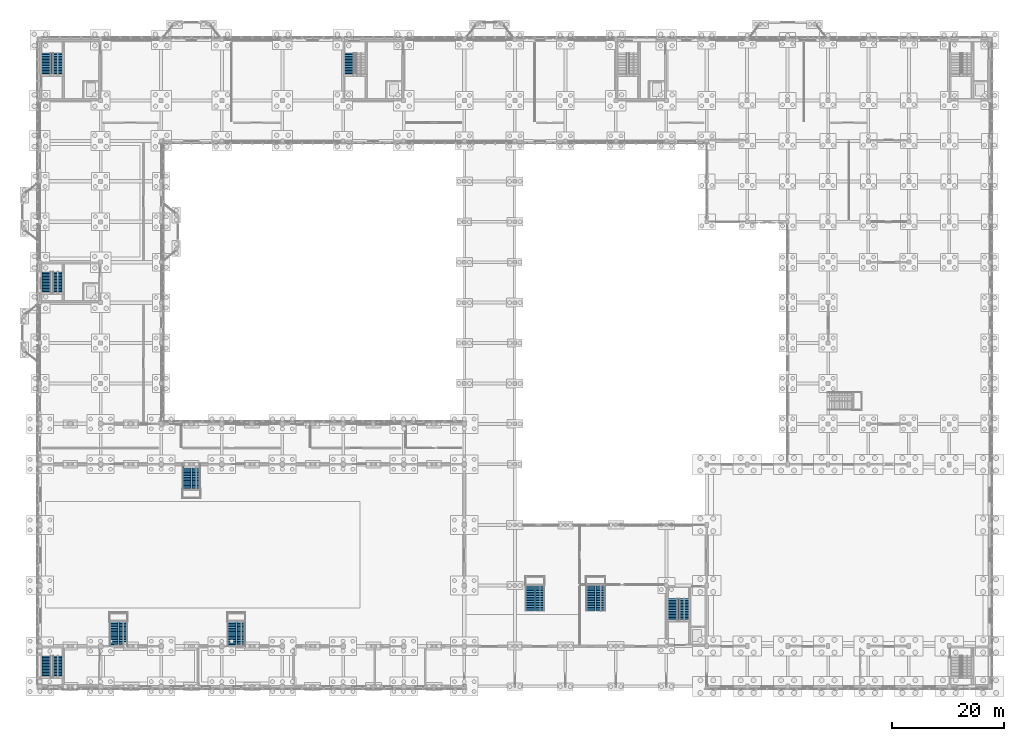
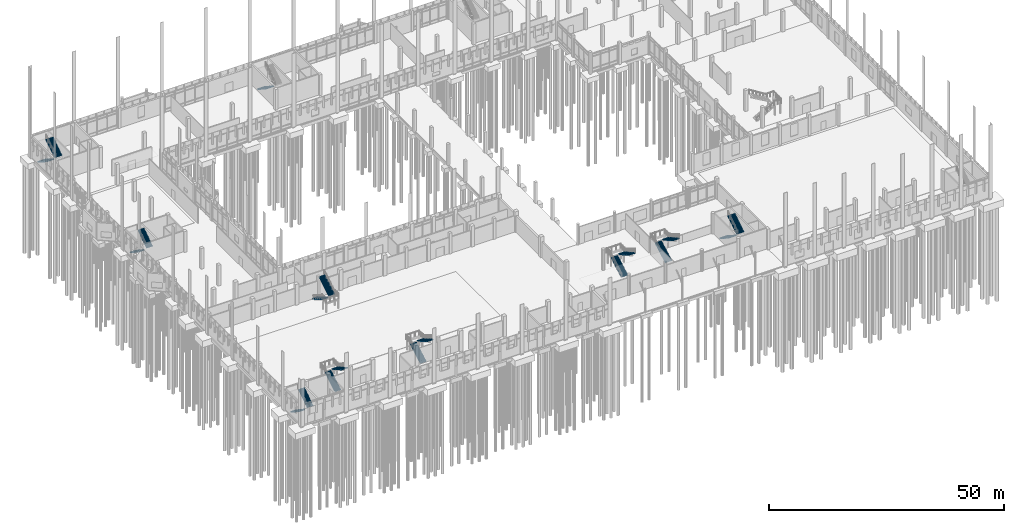
# One storey, part 92 of 109: 19 stair flights, 10 elements without a shape of their own.
"""IFC4 building model written with IfcOpenShell, lengths in metres."""

import ifcopenshell
import ifcopenshell.guid

model = None  # the IFC model being written
_history = None  # IfcOwnerHistory: only IFC2X3 demands one
_inside = {}  # id of a spatial element -> (the spatial element, [elements in it])
_under = {}  # id of a project, library or spatial element -> (it, [spatial elements below it])
_declared = {}  # id of a project -> (the project, [libraries it declares])
_typed = {}  # id of a type object -> (the type object, [elements of that type])
_made_of = {}  # id of a material, layer set ... -> (it, [elements and type objects made of it])


def new_model(schema):
    """Start an empty IFC model of exactly this schema.

    Asked for "IFC4X3", IfcOpenShell would pick the latest addendum, in which some entities
    have other attributes; the version numbers below select the first issue.
    IFC2X3 requires an IfcOwnerHistory on every rooted entity: one is made here for all.
    """
    global model, _history
    if schema == "IFC4X3":
        model = ifcopenshell.file(schema_version=(4, 3, 0, 0))
    else:
        model = ifcopenshell.file(schema=schema)
    _inside.clear()
    _under.clear()
    _declared.clear()
    _typed.clear()
    _made_of.clear()
    _history = None
    if model.schema == "IFC2X3":
        org = make("IfcOrganization", Name="unknown")
        user = make(
            "IfcPersonAndOrganization",
            ThePerson=make("IfcPerson", FamilyName="unknown"),
            TheOrganization=org,
        )
        app = make(
            "IfcApplication",
            ApplicationDeveloper=org,
            Version="unknown",
            ApplicationFullName="unknown",
            ApplicationIdentifier="unknown",
        )
        _history = make(
            "IfcOwnerHistory",
            OwningUser=user,
            OwningApplication=app,
            ChangeAction="ADDED",
            CreationDate=0,
        )
    return model


def make(cls, **values):
    """One entity of the class cls with the attributes given. An attribute that is None is left unset."""
    return model.create_entity(
        cls, **{name: value for name, value in values.items() if value is not None}
    )


def rooted(cls, **values):
    """An entity with a GlobalId (a new one), such as an element, a storey or a relation."""
    return make(cls, GlobalId=ifcopenshell.guid.new(), OwnerHistory=_history, **values)


def si_unit(unit_type, name, prefix=None):
    """IfcSIUnit, for example si_unit("LENGTHUNIT", "METRE", prefix="MILLI")."""
    return make("IfcSIUnit", UnitType=unit_type, Prefix=prefix, Name=name)


def assignment(units):
    """IfcUnitAssignment: the units of a project."""
    return None if units is None else make("IfcUnitAssignment", Units=units)


def point(xyz):
    """IfcCartesianPoint."""
    return None if xyz is None else make("IfcCartesianPoint", Coordinates=xyz)


def direction(xyz):
    """IfcDirection."""
    return None if xyz is None else make("IfcDirection", DirectionRatios=xyz)


def frame(location, z_axis=None, x_axis=None):
    """IfcAxis2Placement3D, a coordinate frame: its origin and axes. An axis left out is left unset."""
    return make(
        "IfcAxis2Placement3D",
        Location=point(location),
        Axis=direction(z_axis),
        RefDirection=direction(x_axis),
    )


def origin():
    """The frame at (0, 0, 0) with its axes left unset."""
    return frame((0.0, 0.0, 0.0))


def place(relative_to, where):
    """IfcLocalPlacement: puts the frame where relative to a parent placement (None: the world)."""
    return make(
        "IfcLocalPlacement", PlacementRelTo=relative_to, RelativePlacement=where
    )


def context(
    kind, dimensions, precision=None, world=None, true_north=None, identifier=None
):
    """IfcGeometricRepresentationContext, for example the 3D "Model" context."""
    return make(
        "IfcGeometricRepresentationContext",
        ContextIdentifier=identifier,
        ContextType=kind,
        CoordinateSpaceDimension=dimensions,
        Precision=precision,
        WorldCoordinateSystem=world,
        TrueNorth=true_north,
    )


def subcontext(parent, identifier, kind, view, scale=None):
    """IfcGeometricRepresentationSubContext, for example "Body" below "Model"."""
    return make(
        "IfcGeometricRepresentationSubContext",
        ContextIdentifier=identifier,
        ContextType=kind,
        ParentContext=parent,
        TargetScale=scale,
        TargetView=view,
    )


def project(units=None, contexts=None):
    """IfcProject with its units and contexts."""
    return rooted(
        "IfcProject",
        Name="project",
        RepresentationContexts=contexts,
        UnitsInContext=assignment(units),
    )


def spatial(cls, under=None, at=None, **own):
    """A site, building, storey or space (cls), placed at a placement, below another one or the project."""
    s = rooted(cls, ObjectPlacement=at, **own)
    if under is not None:
        _under.setdefault(under.id(), (under, []))[1].append(s)
    return s


def polyline(points):
    """IfcPolyline through the points."""
    return make("IfcPolyline", Points=[point(p) for p in points])


def outline(outer, holes=None, kind="AREA"):
    """IfcArbitraryClosedProfileDef: a profile drawn as a closed curve; with holes, ...WithVoids."""
    if holes is None:
        return make("IfcArbitraryClosedProfileDef", ProfileType=kind, OuterCurve=outer)
    return make(
        "IfcArbitraryProfileDefWithVoids",
        ProfileType=kind,
        OuterCurve=outer,
        InnerCurves=holes,
    )


def extrude(swept, where, along, depth):
    """IfcExtrudedAreaSolid: the profile swept, set in the frame where, extruded along a direction by depth."""
    return make(
        "IfcExtrudedAreaSolid",
        SweptArea=swept,
        Position=where,
        ExtrudedDirection=direction(along),
        Depth=depth,
    )


def shape(context_of_items, identifier, shape_type, items):
    """IfcShapeRepresentation: the items that make up one representation, for example the "Body"."""
    return make(
        "IfcShapeRepresentation",
        ContextOfItems=context_of_items,
        RepresentationIdentifier=identifier,
        RepresentationType=shape_type,
        Items=items,
    )


def material(Name=None, Category=None):
    """IfcMaterial."""
    return make("IfcMaterial", Name=Name, Category=Category)


def made_of(thing, what):
    """Note that an element or type object is made of a material, layer set ...; save() writes the relation."""
    if what is not None:
        _made_of.setdefault(what.id(), (what, []))[1].append(thing)
    return thing


def type_object(cls, material=None, **own):
    """A type object (cls), such as IfcWallType, which elements share."""
    return made_of(rooted(cls, **own), material)


def element(
    cls,
    number,
    at=None,
    inside=None,
    cuts=None,
    type_object=None,
    material=None,
    context=None,
    identifier="Body",
    shape_type=None,
    held_by="IfcProductDefinitionShape",
    body=None,
    shapes=None,
    **own,
):
    """One element of the class cls, such as IfcWall. Its Tag is "e" and its number.

    at: its placement. inside: the storey or other place that contains it. cuts: it is an
    opening in that element (IfcRelVoidsElement). A single representation is given by context,
    identifier, shape_type and body (its items); several are given by shapes. held_by: the class
    of the entity that holds the representations. save() writes the other relations.
    """
    e = rooted(cls, Tag="e%d" % number, ObjectPlacement=at, **own)
    if body is not None:
        shapes = [shape(context, identifier, shape_type, body)]
    if shapes is not None:
        e.Representation = make(held_by, Representations=shapes)
    if inside is not None:
        _inside.setdefault(inside.id(), (inside, []))[1].append(e)
    if cuts is not None:
        rooted(
            "IfcRelVoidsElement", RelatingBuildingElement=cuts, RelatedOpeningElement=e
        )
    if type_object is not None:
        _typed.setdefault(type_object.id(), (type_object, []))[1].append(e)
    return made_of(e, material)


def aggregate(whole, parts):
    """IfcRelAggregates: a whole, such as a stair, and the parts it consists of."""
    return rooted("IfcRelAggregates", RelatingObject=whole, RelatedObjects=parts)


def save(model, path):
    """Write the relations noted so far, then the file.

    IfcRelAggregates (storeys below a building ...), IfcRelContainedInSpatialStructure (elements
    in a storey), IfcRelDefinesByType, IfcRelAssociatesMaterial and IfcRelDeclares: one each for
    every whole, place, type object, material and project.
    """
    for whole, parts in _under.values():
        aggregate(whole, parts)
    for where, things in _inside.values():
        rooted(
            "IfcRelContainedInSpatialStructure",
            RelatedElements=things,
            RelatingStructure=where,
        )
    for kind, things in _typed.values():
        rooted("IfcRelDefinesByType", RelatedObjects=things, RelatingType=kind)
    for what, things in _made_of.values():
        rooted("IfcRelAssociatesMaterial", RelatedObjects=things, RelatingMaterial=what)
    for by, libraries in _declared.values():
        rooted("IfcRelDeclares", RelatingContext=by, RelatedDefinitions=libraries)
    model.write(path)


model = new_model("IFC4")

# Units and contexts
model_context = context("Model", 3, precision=1e-05, world=origin(), true_north=direction((0.0, 1.0)))
body_context = subcontext(model_context, "Body", "Model", "MODEL_VIEW")
ifc_project = project(units=[si_unit("LENGTHUNIT", "METRE"), si_unit("AREAUNIT", "SQUARE_METRE"), si_unit("VOLUMEUNIT", "CUBIC_METRE"), si_unit("PLANEANGLEUNIT", "RADIAN"), si_unit("MASSUNIT", "GRAM", prefix="KILO")], contexts=[model_context])

# Site, building, storey
site_placement = place(None, origin())
site = spatial("IfcSite", under=ifc_project, at=site_placement, CompositionType="ELEMENT")
building_placement = place(site_placement, origin())
building = spatial("IfcBuilding", under=site, at=building_placement, Name="Lusvemor Sports Hall", CompositionType="ELEMENT")
storey_placement = place(building_placement, origin())
storey = spatial("IfcBuildingStorey", under=building, at=storey_placement, Name="L00", CompositionType="ELEMENT", Elevation=0.0)

# Stair, stair flights
ifc_material_1 = material(Name="Concrete C40/50", Category="concrete")
stair_type_1 = type_object("IfcStairType", Name="STAIR_CORE_540", PredefinedType="HALF_TURN_STAIR", material=ifc_material_1)
stair_1_placement = place(storey_placement, origin())
stair_1 = element("IfcStair", 1, at=stair_1_placement, inside=storey, type_object=stair_type_1, Name="Escape Stair C1 (L00)", PredefinedType="HALF_TURN_STAIR")
ifc_material_2 = material(Name="Concrete C40/50", Category="concrete")
stair_flight_type_1 = type_object("IfcStairFlightType", Name="SFLT_CORE_15R", PredefinedType="STRAIGHT", material=ifc_material_2)
stair_flight_1_placement = place(storey_placement, frame((1.159912109375, 112.85009765625, 0.0), z_axis=(0.0, 0.0, 1.0), x_axis=(0.0, -1.0, 0.0)))
stair_flight_1 = element("IfcStairFlight", 2, at=stair_flight_1_placement, type_object=stair_flight_type_1, Name="ST01 flight 1", NumberOfRisers=15, NumberOfTreads=14, PredefinedType="STRAIGHT", RiserHeight=0.18, TreadLength=0.28, context=body_context, shape_type="SweptSolid", body=[
    extrude(outline(polyline([(0.0, 0.0), (0.0, 0.179931640625), (0.280029296875, 0.179931640625), (0.280029296875, 0.360107421875), (0.56005859375, 0.360107421875), (0.56005859375, 0.5400390625), (0.840087890625, 0.5400390625), (0.840087890625, 0.719970703125), (1.1201171875, 0.719970703125), (1.1201171875, 0.89990234375), (1.39990234375, 0.89990234375), (1.39990234375, 1.080078125), (1.679931640625, 1.080078125), (1.679931640625, 1.260009765625), (1.9599609375, 1.260009765625), (1.9599609375, 1.43994140625), (2.239990234375, 1.43994140625), (2.239990234375, 1.6201171875), (2.52001953125, 1.6201171875), (2.52001953125, 1.800048828125), (2.800048828125, 1.800048828125), (2.800048828125, 1.97998046875), (3.080078125, 1.97998046875), (3.080078125, 2.159912109375), (3.360107421875, 2.159912109375), (3.360107421875, 2.340087890625), (3.639892578125, 2.340087890625), (3.639892578125, 2.52001953125), (3.919921875, 2.52001953125), (3.919921875, 2.699951171875), (3.919921875, 2.329833984375), (0.295654296875, 0.0), (0.0, 0.0)])), frame((0.0, 0.9599609375, 0.0), z_axis=(0.0, -1.0, 0.0), x_axis=(1.0, 0.0, 0.0)), (0.0, 0.0, 1.0), 1.919921875),
])
stair_flight_2_placement = place(storey_placement, frame((3.159912109375, 108.929931640625, 2.699951171875), z_axis=(0.0, 0.0, 1.0), x_axis=(0.0, 1.0, 0.0)))
stair_flight_2 = element("IfcStairFlight", 3, at=stair_flight_2_placement, type_object=stair_flight_type_1, Name="ST01 flight 2", NumberOfRisers=15, NumberOfTreads=14, PredefinedType="STRAIGHT", RiserHeight=0.18, TreadLength=0.28, context=body_context, shape_type="SweptSolid", body=[
    extrude(outline(polyline([(0.0, 0.0), (0.0, 0.179931640625), (0.280029296875, 0.179931640625), (0.280029296875, 0.360107421875), (0.56005859375, 0.360107421875), (0.56005859375, 0.5400390625), (0.840087890625, 0.5400390625), (0.840087890625, 0.719970703125), (1.1201171875, 0.719970703125), (1.1201171875, 0.89990234375), (1.39990234375, 0.89990234375), (1.39990234375, 1.080078125), (1.679931640625, 1.080078125), (1.679931640625, 1.260009765625), (1.9599609375, 1.260009765625), (1.9599609375, 1.43994140625), (2.239990234375, 1.43994140625), (2.239990234375, 1.6201171875), (2.52001953125, 1.6201171875), (2.52001953125, 1.800048828125), (2.800048828125, 1.800048828125), (2.800048828125, 1.97998046875), (3.080078125, 1.97998046875), (3.080078125, 2.159912109375), (3.360107421875, 2.159912109375), (3.360107421875, 2.340087890625), (3.639892578125, 2.340087890625), (3.639892578125, 2.52001953125), (3.919921875, 2.52001953125), (3.919921875, 2.699951171875), (3.919921875, 2.329833984375), (0.295654296875, 0.0), (0.0, 0.0)])), frame((0.0, 0.9599609375, 0.0), z_axis=(0.0, -1.0, 0.0), x_axis=(1.0, 0.0, 0.0)), (0.0, 0.0, 1.0), 1.919921875),
])
aggregate(stair_1, [stair_flight_1, stair_flight_2])

# Stair, stair flight
stair_2_placement = place(storey_placement, origin())
stair_2 = element("IfcStair", 4, at=stair_2_placement, inside=storey, type_object=stair_type_1, Name="Escape Stair C2 (L00)", PredefinedType="HALF_TURN_STAIR")
stair_flight_3_placement = place(storey_placement, frame((55.159912109375, 112.85009765625, 0.0), z_axis=(0.0, 0.0, 1.0), x_axis=(0.0, -1.0, 0.0)))
stair_flight_3 = element("IfcStairFlight", 5, at=stair_flight_3_placement, type_object=stair_flight_type_1, Name="ST01 flight 1", NumberOfRisers=15, NumberOfTreads=14, PredefinedType="STRAIGHT", RiserHeight=0.18, TreadLength=0.28, context=body_context, shape_type="SweptSolid", body=[
    extrude(outline(polyline([(0.0, 0.0), (0.0, 0.179931640625), (0.280029296875, 0.179931640625), (0.280029296875, 0.360107421875), (0.56005859375, 0.360107421875), (0.56005859375, 0.5400390625), (0.840087890625, 0.5400390625), (0.840087890625, 0.719970703125), (1.1201171875, 0.719970703125), (1.1201171875, 0.89990234375), (1.39990234375, 0.89990234375), (1.39990234375, 1.080078125), (1.679931640625, 1.080078125), (1.679931640625, 1.260009765625), (1.9599609375, 1.260009765625), (1.9599609375, 1.43994140625), (2.239990234375, 1.43994140625), (2.239990234375, 1.6201171875), (2.52001953125, 1.6201171875), (2.52001953125, 1.800048828125), (2.800048828125, 1.800048828125), (2.800048828125, 1.97998046875), (3.080078125, 1.97998046875), (3.080078125, 2.159912109375), (3.360107421875, 2.159912109375), (3.360107421875, 2.340087890625), (3.639892578125, 2.340087890625), (3.639892578125, 2.52001953125), (3.919921875, 2.52001953125), (3.919921875, 2.699951171875), (3.919921875, 2.329833984375), (0.295654296875, 0.0), (0.0, 0.0)])), frame((0.0, 0.9599609375, 0.0), z_axis=(0.0, -1.0, 0.0), x_axis=(1.0, 0.0, 0.0)), (0.0, 0.0, 1.0), 1.919921875),
])
aggregate(stair_2, [stair_flight_3])

# Stair, stair flights
stair_3_placement = place(storey_placement, origin())
stair_3 = element("IfcStair", 6, at=stair_3_placement, inside=storey, type_object=stair_type_1, Name="Escape Stair C7 (L00)", PredefinedType="HALF_TURN_STAIR")
stair_flight_4_placement = place(storey_placement, frame((112.760009765625, 15.64990234375, 0.0), z_axis=(0.0, 0.0, 1.0), x_axis=(0.0, -1.0, 0.0)))
stair_flight_4 = element("IfcStairFlight", 7, at=stair_flight_4_placement, type_object=stair_flight_type_1, Name="ST01 flight 1", NumberOfRisers=15, NumberOfTreads=14, PredefinedType="STRAIGHT", RiserHeight=0.18, TreadLength=0.28, context=body_context, shape_type="SweptSolid", body=[
    extrude(outline(polyline([(0.0, 0.0), (0.0, 0.179931640625), (0.280029296875, 0.179931640625), (0.280029296875, 0.360107421875), (0.56005859375, 0.360107421875), (0.56005859375, 0.5400390625), (0.840087890625, 0.5400390625), (0.840087890625, 0.719970703125), (1.1201171875, 0.719970703125), (1.1201171875, 0.89990234375), (1.39990234375, 0.89990234375), (1.39990234375, 1.080078125), (1.679931640625, 1.080078125), (1.679931640625, 1.260009765625), (1.9599609375, 1.260009765625), (1.9599609375, 1.43994140625), (2.239990234375, 1.43994140625), (2.239990234375, 1.6201171875), (2.52001953125, 1.6201171875), (2.52001953125, 1.800048828125), (2.800048828125, 1.800048828125), (2.800048828125, 1.97998046875), (3.080078125, 1.97998046875), (3.080078125, 2.159912109375), (3.360107421875, 2.159912109375), (3.360107421875, 2.340087890625), (3.639892578125, 2.340087890625), (3.639892578125, 2.52001953125), (3.919921875, 2.52001953125), (3.919921875, 2.699951171875), (3.919921875, 2.329833984375), (0.295654296875, 0.0), (0.0, 0.0)])), frame((0.0, 0.9599609375, 0.0), z_axis=(0.0, -1.0, 0.0), x_axis=(1.0, 0.0, 0.0)), (0.0, 0.0, 1.0), 1.919921875),
])
stair_flight_5_placement = place(storey_placement, frame((114.760009765625, 11.72998046875, 2.699951171875), z_axis=(0.0, 0.0, 1.0), x_axis=(0.0, 1.0, 0.0)))
stair_flight_5 = element("IfcStairFlight", 8, at=stair_flight_5_placement, type_object=stair_flight_type_1, Name="ST01 flight 2", NumberOfRisers=15, NumberOfTreads=14, PredefinedType="STRAIGHT", RiserHeight=0.18, TreadLength=0.28, context=body_context, shape_type="SweptSolid", body=[
    extrude(outline(polyline([(0.0, 0.0), (0.0, 0.179931640625), (0.280029296875, 0.179931640625), (0.280029296875, 0.360107421875), (0.56005859375, 0.360107421875), (0.56005859375, 0.5400390625), (0.840087890625, 0.5400390625), (0.840087890625, 0.719970703125), (1.1201171875, 0.719970703125), (1.1201171875, 0.89990234375), (1.39990234375, 0.89990234375), (1.39990234375, 1.080078125), (1.679931640625, 1.080078125), (1.679931640625, 1.260009765625), (1.9599609375, 1.260009765625), (1.9599609375, 1.43994140625), (2.239990234375, 1.43994140625), (2.239990234375, 1.6201171875), (2.52001953125, 1.6201171875), (2.52001953125, 1.800048828125), (2.800048828125, 1.800048828125), (2.800048828125, 1.97998046875), (3.080078125, 1.97998046875), (3.080078125, 2.159912109375), (3.360107421875, 2.159912109375), (3.360107421875, 2.340087890625), (3.639892578125, 2.340087890625), (3.639892578125, 2.52001953125), (3.919921875, 2.52001953125), (3.919921875, 2.699951171875), (3.919921875, 2.329833984375), (0.295654296875, 0.0), (0.0, 0.0)])), frame((0.0, 0.9599609375, 0.0), z_axis=(0.0, -1.0, 0.0), x_axis=(1.0, 0.0, 0.0)), (0.0, 0.0, 1.0), 1.919921875),
])
aggregate(stair_3, [stair_flight_4, stair_flight_5])

ifc_material_3 = material(Name="Concrete C40/50", Category="concrete")
stair_type_2 = type_object("IfcStairType", Name="STAIR_CORE_540_C", PredefinedType="HALF_TURN_STAIR", material=ifc_material_3)
stair_4_placement = place(storey_placement, origin())
stair_4 = element("IfcStair", 9, at=stair_4_placement, inside=storey, type_object=stair_type_2, Name="Escape Stair C3 (L00)", PredefinedType="HALF_TURN_STAIR")
ifc_material_4 = material(Name="Concrete C40/50", Category="concrete")
stair_flight_type_2 = type_object("IfcStairFlightType", Name="SFLT_CORE_15R_C", PredefinedType="STRAIGHT", material=ifc_material_4)
stair_flight_6_placement = place(storey_placement, frame((1.14990234375, 73.8798828125, 0.0), z_axis=(0.0, 0.0, 1.0), x_axis=(0.0, -1.0, 0.0)))
stair_flight_6 = element("IfcStairFlight", 10, at=stair_flight_6_placement, type_object=stair_flight_type_2, Name="ST05 flight 1", NumberOfRisers=15, NumberOfTreads=14, PredefinedType="STRAIGHT", RiserHeight=0.18, TreadLength=0.27, context=body_context, shape_type="SweptSolid", body=[
    extrude(outline(polyline([(0.0, 0.0), (0.0, 0.179931640625), (0.27001953125, 0.179931640625), (0.27001953125, 0.360107421875), (0.5400390625, 0.360107421875), (0.5400390625, 0.5400390625), (0.81005859375, 0.5400390625), (0.81005859375, 0.719970703125), (1.080078125, 0.719970703125), (1.080078125, 0.89990234375), (1.35009765625, 0.89990234375), (1.35009765625, 1.080078125), (1.6201171875, 1.080078125), (1.6201171875, 1.260009765625), (1.889892578125, 1.260009765625), (1.889892578125, 1.43994140625), (2.159912109375, 1.43994140625), (2.159912109375, 1.6201171875), (2.429931640625, 1.6201171875), (2.429931640625, 1.800048828125), (2.699951171875, 1.800048828125), (2.699951171875, 1.97998046875), (2.969970703125, 1.97998046875), (2.969970703125, 2.159912109375), (3.239990234375, 2.159912109375), (3.239990234375, 2.340087890625), (3.510009765625, 2.340087890625), (3.510009765625, 2.52001953125), (3.780029296875, 2.52001953125), (3.780029296875, 2.699951171875), (3.780029296875, 2.327880859375), (0.288330078125, 0.0), (0.0, 0.0)])), frame((0.0, 0.75, 0.0), z_axis=(0.0, -1.0, 0.0), x_axis=(1.0, 0.0, 0.0)), (0.0, 0.0, 1.0), 1.5),
])
stair_flight_7_placement = place(storey_placement, frame((3.14990234375, 70.10009765625, 2.699951171875), z_axis=(0.0, 0.0, 1.0), x_axis=(0.0, 1.0, 0.0)))
stair_flight_7 = element("IfcStairFlight", 11, at=stair_flight_7_placement, type_object=stair_flight_type_2, Name="ST05 flight 2", NumberOfRisers=15, NumberOfTreads=14, PredefinedType="STRAIGHT", RiserHeight=0.18, TreadLength=0.27, context=body_context, shape_type="SweptSolid", body=[
    extrude(outline(polyline([(0.0, 0.0), (0.0, 0.179931640625), (0.27001953125, 0.179931640625), (0.27001953125, 0.360107421875), (0.5400390625, 0.360107421875), (0.5400390625, 0.5400390625), (0.81005859375, 0.5400390625), (0.81005859375, 0.719970703125), (1.080078125, 0.719970703125), (1.080078125, 0.89990234375), (1.35009765625, 0.89990234375), (1.35009765625, 1.080078125), (1.6201171875, 1.080078125), (1.6201171875, 1.260009765625), (1.889892578125, 1.260009765625), (1.889892578125, 1.43994140625), (2.159912109375, 1.43994140625), (2.159912109375, 1.6201171875), (2.429931640625, 1.6201171875), (2.429931640625, 1.800048828125), (2.699951171875, 1.800048828125), (2.699951171875, 1.97998046875), (2.969970703125, 1.97998046875), (2.969970703125, 2.159912109375), (3.239990234375, 2.159912109375), (3.239990234375, 2.340087890625), (3.510009765625, 2.340087890625), (3.510009765625, 2.52001953125), (3.780029296875, 2.52001953125), (3.780029296875, 2.699951171875), (3.780029296875, 2.327880859375), (0.288330078125, 0.0), (0.0, 0.0)])), frame((0.0, 0.75, 0.0), z_axis=(0.0, -1.0, 0.0), x_axis=(1.0, 0.0, 0.0)), (0.0, 0.0, 1.0), 1.5),
])
aggregate(stair_4, [stair_flight_6, stair_flight_7])

stair_5_placement = place(storey_placement, origin())
stair_5 = element("IfcStair", 12, at=stair_5_placement, inside=storey, type_object=stair_type_2, Name="Escape Stair C6 (L00)", PredefinedType="HALF_TURN_STAIR")
stair_flight_8_placement = place(storey_placement, frame((1.14990234375, 5.47998046875, 0.0), z_axis=(0.0, 0.0, 1.0), x_axis=(0.0, -1.0, 0.0)))
stair_flight_8 = element("IfcStairFlight", 13, at=stair_flight_8_placement, type_object=stair_flight_type_2, Name="ST05 flight 1", NumberOfRisers=15, NumberOfTreads=14, PredefinedType="STRAIGHT", RiserHeight=0.18, TreadLength=0.27, context=body_context, shape_type="SweptSolid", body=[
    extrude(outline(polyline([(0.0, 0.0), (0.0, 0.179931640625), (0.27001953125, 0.179931640625), (0.27001953125, 0.360107421875), (0.5400390625, 0.360107421875), (0.5400390625, 0.5400390625), (0.81005859375, 0.5400390625), (0.81005859375, 0.719970703125), (1.080078125, 0.719970703125), (1.080078125, 0.89990234375), (1.35009765625, 0.89990234375), (1.35009765625, 1.080078125), (1.6201171875, 1.080078125), (1.6201171875, 1.260009765625), (1.889892578125, 1.260009765625), (1.889892578125, 1.43994140625), (2.159912109375, 1.43994140625), (2.159912109375, 1.6201171875), (2.429931640625, 1.6201171875), (2.429931640625, 1.800048828125), (2.699951171875, 1.800048828125), (2.699951171875, 1.97998046875), (2.969970703125, 1.97998046875), (2.969970703125, 2.159912109375), (3.239990234375, 2.159912109375), (3.239990234375, 2.340087890625), (3.510009765625, 2.340087890625), (3.510009765625, 2.52001953125), (3.780029296875, 2.52001953125), (3.780029296875, 2.699951171875), (3.780029296875, 2.327880859375), (0.288330078125, 0.0), (0.0, 0.0)])), frame((0.0, 0.75, 0.0), z_axis=(0.0, -1.0, 0.0), x_axis=(1.0, 0.0, 0.0)), (0.0, 0.0, 1.0), 1.5),
])
stair_flight_9_placement = place(storey_placement, frame((3.14990234375, 1.699951171875, 2.699951171875), z_axis=(0.0, 0.0, 1.0), x_axis=(0.0, 1.0, 0.0)))
stair_flight_9 = element("IfcStairFlight", 14, at=stair_flight_9_placement, type_object=stair_flight_type_2, Name="ST05 flight 2", NumberOfRisers=15, NumberOfTreads=14, PredefinedType="STRAIGHT", RiserHeight=0.18, TreadLength=0.27, context=body_context, shape_type="SweptSolid", body=[
    extrude(outline(polyline([(0.0, 0.0), (0.0, 0.179931640625), (0.27001953125, 0.179931640625), (0.27001953125, 0.360107421875), (0.5400390625, 0.360107421875), (0.5400390625, 0.5400390625), (0.81005859375, 0.5400390625), (0.81005859375, 0.719970703125), (1.080078125, 0.719970703125), (1.080078125, 0.89990234375), (1.35009765625, 0.89990234375), (1.35009765625, 1.080078125), (1.6201171875, 1.080078125), (1.6201171875, 1.260009765625), (1.889892578125, 1.260009765625), (1.889892578125, 1.43994140625), (2.159912109375, 1.43994140625), (2.159912109375, 1.6201171875), (2.429931640625, 1.6201171875), (2.429931640625, 1.800048828125), (2.699951171875, 1.800048828125), (2.699951171875, 1.97998046875), (2.969970703125, 1.97998046875), (2.969970703125, 2.159912109375), (3.239990234375, 2.159912109375), (3.239990234375, 2.340087890625), (3.510009765625, 2.340087890625), (3.510009765625, 2.52001953125), (3.780029296875, 2.52001953125), (3.780029296875, 2.699951171875), (3.780029296875, 2.327880859375), (0.288330078125, 0.0), (0.0, 0.0)])), frame((0.0, 0.75, 0.0), z_axis=(0.0, -1.0, 0.0), x_axis=(1.0, 0.0, 0.0)), (0.0, 0.0, 1.0), 1.5),
])
aggregate(stair_5, [stair_flight_8, stair_flight_9])

ifc_material_5 = material(Name="Precast concrete C40/50", Category="concrete")
stair_type_3 = type_object("IfcStairType", Name="STAIR_FOYER_540", PredefinedType="HALF_TURN_STAIR", material=ifc_material_5)
stair_6_placement = place(storey_placement, origin())
stair_6 = element("IfcStair", 15, at=stair_6_placement, inside=storey, type_object=stair_type_3, Name="Feature Stair STR-FOY-W", PredefinedType="HALF_TURN_STAIR")
ifc_material_6 = material(Name="Precast concrete C40/50", Category="concrete")
stair_flight_type_3 = type_object("IfcStairFlightType", Name="SFLT_FOYER_16R", PredefinedType="STRAIGHT", material=ifc_material_6)
stair_flight_10_placement = place(storey_placement, frame((87.300048828125, 13.5, 0.0), z_axis=(0.0, 0.0, 1.0), x_axis=(0.0, 1.0, 0.0)))
stair_flight_10 = element("IfcStairFlight", 16, at=stair_flight_10_placement, type_object=stair_flight_type_3, Name="ST03 flight 1", NumberOfRisers=16, NumberOfTreads=15, PredefinedType="STRAIGHT", RiserHeight=0.16875, TreadLength=0.3, context=body_context, shape_type="SweptSolid", body=[
    extrude(outline(polyline([(0.0, 0.0), (0.0, 0.168701171875), (0.300048828125, 0.168701171875), (0.300048828125, 0.33740234375), (0.60009765625, 0.33740234375), (0.60009765625, 0.50634765625), (0.89990234375, 0.50634765625), (0.89990234375, 0.675048828125), (1.199951171875, 0.675048828125), (1.199951171875, 0.84375), (1.5, 0.84375), (1.5, 1.012451171875), (1.800048828125, 1.012451171875), (1.800048828125, 1.18115234375), (2.10009765625, 1.18115234375), (2.10009765625, 1.35009765625), (2.39990234375, 1.35009765625), (2.39990234375, 1.518798828125), (2.699951171875, 1.518798828125), (2.699951171875, 1.6875), (3.0, 1.6875), (3.0, 1.856201171875), (3.300048828125, 1.856201171875), (3.300048828125, 2.02490234375), (3.60009765625, 2.02490234375), (3.60009765625, 2.19384765625), (3.89990234375, 2.19384765625), (3.89990234375, 2.362548828125), (4.199951171875, 2.362548828125), (4.199951171875, 2.53125), (4.5, 2.53125), (4.5, 2.699951171875), (4.5, 2.32470703125), (0.366943359375, 0.0), (0.0, 0.0)])), frame((0.0, 0.81005859375, 0.0), z_axis=(0.0, -1.0, 0.0), x_axis=(1.0, 0.0, 0.0)), (0.0, 0.0, 1.0), 1.6201171875),
])
stair_flight_11_placement = place(storey_placement, frame((89.10009765625, 18.0, 2.699951171875), z_axis=(0.0, 0.0, 1.0), x_axis=(0.0, -1.0, 0.0)))
stair_flight_11 = element("IfcStairFlight", 17, at=stair_flight_11_placement, type_object=stair_flight_type_3, Name="ST03 flight 2", NumberOfRisers=16, NumberOfTreads=15, PredefinedType="STRAIGHT", RiserHeight=0.16875, TreadLength=0.3, context=body_context, shape_type="SweptSolid", body=[
    extrude(outline(polyline([(0.0, 0.0), (0.0, 0.168701171875), (0.300048828125, 0.168701171875), (0.300048828125, 0.33740234375), (0.60009765625, 0.33740234375), (0.60009765625, 0.50634765625), (0.89990234375, 0.50634765625), (0.89990234375, 0.675048828125), (1.199951171875, 0.675048828125), (1.199951171875, 0.84375), (1.5, 0.84375), (1.5, 1.012451171875), (1.800048828125, 1.012451171875), (1.800048828125, 1.18115234375), (2.10009765625, 1.18115234375), (2.10009765625, 1.35009765625), (2.39990234375, 1.35009765625), (2.39990234375, 1.518798828125), (2.699951171875, 1.518798828125), (2.699951171875, 1.6875), (3.0, 1.6875), (3.0, 1.856201171875), (3.300048828125, 1.856201171875), (3.300048828125, 2.02490234375), (3.60009765625, 2.02490234375), (3.60009765625, 2.19384765625), (3.89990234375, 2.19384765625), (3.89990234375, 2.362548828125), (4.199951171875, 2.362548828125), (4.199951171875, 2.53125), (4.5, 2.53125), (4.5, 2.699951171875), (4.5, 2.32470703125), (0.366943359375, 0.0), (0.0, 0.0)])), frame((0.0, 0.81005859375, 0.0), z_axis=(0.0, -1.0, 0.0), x_axis=(1.0, 0.0, 0.0)), (0.0, 0.0, 1.0), 1.6201171875),
])
aggregate(stair_6, [stair_flight_10, stair_flight_11])

stair_7_placement = place(storey_placement, origin())
stair_7 = element("IfcStair", 18, at=stair_7_placement, inside=storey, type_object=stair_type_3, Name="Feature Stair STR-FOY-E", PredefinedType="HALF_TURN_STAIR")
stair_flight_12_placement = place(storey_placement, frame((98.10009765625, 13.5, 0.0), z_axis=(0.0, 0.0, 1.0), x_axis=(0.0, 1.0, 0.0)))
stair_flight_12 = element("IfcStairFlight", 19, at=stair_flight_12_placement, type_object=stair_flight_type_3, Name="ST03 flight 1", NumberOfRisers=16, NumberOfTreads=15, PredefinedType="STRAIGHT", RiserHeight=0.16875, TreadLength=0.3, context=body_context, shape_type="SweptSolid", body=[
    extrude(outline(polyline([(0.0, 0.0), (0.0, 0.168701171875), (0.300048828125, 0.168701171875), (0.300048828125, 0.33740234375), (0.60009765625, 0.33740234375), (0.60009765625, 0.50634765625), (0.89990234375, 0.50634765625), (0.89990234375, 0.675048828125), (1.199951171875, 0.675048828125), (1.199951171875, 0.84375), (1.5, 0.84375), (1.5, 1.012451171875), (1.800048828125, 1.012451171875), (1.800048828125, 1.18115234375), (2.10009765625, 1.18115234375), (2.10009765625, 1.35009765625), (2.39990234375, 1.35009765625), (2.39990234375, 1.518798828125), (2.699951171875, 1.518798828125), (2.699951171875, 1.6875), (3.0, 1.6875), (3.0, 1.856201171875), (3.300048828125, 1.856201171875), (3.300048828125, 2.02490234375), (3.60009765625, 2.02490234375), (3.60009765625, 2.19384765625), (3.89990234375, 2.19384765625), (3.89990234375, 2.362548828125), (4.199951171875, 2.362548828125), (4.199951171875, 2.53125), (4.5, 2.53125), (4.5, 2.699951171875), (4.5, 2.32470703125), (0.366943359375, 0.0), (0.0, 0.0)])), frame((0.0, 0.81005859375, 0.0), z_axis=(0.0, -1.0, 0.0), x_axis=(1.0, 0.0, 0.0)), (0.0, 0.0, 1.0), 1.6201171875),
])
stair_flight_13_placement = place(storey_placement, frame((99.89990234375, 18.0, 2.699951171875), z_axis=(0.0, 0.0, 1.0), x_axis=(0.0, -1.0, 0.0)))
stair_flight_13 = element("IfcStairFlight", 20, at=stair_flight_13_placement, type_object=stair_flight_type_3, Name="ST03 flight 2", NumberOfRisers=16, NumberOfTreads=15, PredefinedType="STRAIGHT", RiserHeight=0.16875, TreadLength=0.3, context=body_context, shape_type="SweptSolid", body=[
    extrude(outline(polyline([(0.0, 0.0), (0.0, 0.168701171875), (0.300048828125, 0.168701171875), (0.300048828125, 0.33740234375), (0.60009765625, 0.33740234375), (0.60009765625, 0.50634765625), (0.89990234375, 0.50634765625), (0.89990234375, 0.675048828125), (1.199951171875, 0.675048828125), (1.199951171875, 0.84375), (1.5, 0.84375), (1.5, 1.012451171875), (1.800048828125, 1.012451171875), (1.800048828125, 1.18115234375), (2.10009765625, 1.18115234375), (2.10009765625, 1.35009765625), (2.39990234375, 1.35009765625), (2.39990234375, 1.518798828125), (2.699951171875, 1.518798828125), (2.699951171875, 1.6875), (3.0, 1.6875), (3.0, 1.856201171875), (3.300048828125, 1.856201171875), (3.300048828125, 2.02490234375), (3.60009765625, 2.02490234375), (3.60009765625, 2.19384765625), (3.89990234375, 2.19384765625), (3.89990234375, 2.362548828125), (4.199951171875, 2.362548828125), (4.199951171875, 2.53125), (4.5, 2.53125), (4.5, 2.699951171875), (4.5, 2.32470703125), (0.366943359375, 0.0), (0.0, 0.0)])), frame((0.0, 0.81005859375, 0.0), z_axis=(0.0, -1.0, 0.0), x_axis=(1.0, 0.0, 0.0)), (0.0, 0.0, 1.0), 1.6201171875),
])
aggregate(stair_7, [stair_flight_12, stair_flight_13])

ifc_material_7 = material(Name="Concrete C40/50", Category="concrete")
stair_type_4 = type_object("IfcStairType", Name="STAIR_GALLERY_540", PredefinedType="STRAIGHT_RUN_STAIR", material=ifc_material_7)
stair_8_placement = place(storey_placement, origin())
stair_8 = element("IfcStair", 21, at=stair_8_placement, inside=storey, type_object=stair_type_4, Name="Feature Stair STR-V1-GAL-W", PredefinedType="STRAIGHT_RUN_STAIR")
ifc_material_8 = material(Name="Concrete C40/50", Category="concrete")
stair_flight_type_4 = type_object("IfcStairFlightType", Name="SFLT_GAL_16R", PredefinedType="STRAIGHT", material=ifc_material_8)
stair_flight_14_placement = place(storey_placement, frame((13.14990234375, 7.199951171875, 0.0), z_axis=(0.0, 0.0, 1.0), x_axis=(0.0, 1.0, 0.0)))
stair_flight_14 = element("IfcStairFlight", 22, at=stair_flight_14_placement, type_object=stair_flight_type_4, Name="ST04 flight 1", NumberOfRisers=16, NumberOfTreads=15, PredefinedType="STRAIGHT", RiserHeight=0.16875, TreadLength=0.29, context=body_context, shape_type="SweptSolid", body=[
    extrude(outline(polyline([(0.0, 0.0), (0.0, 0.168701171875), (0.2900390625, 0.168701171875), (0.2900390625, 0.33740234375), (0.580078125, 0.33740234375), (0.580078125, 0.50634765625), (0.8701171875, 0.50634765625), (0.8701171875, 0.675048828125), (1.159912109375, 0.675048828125), (1.159912109375, 0.84375), (1.449951171875, 0.84375), (1.449951171875, 1.012451171875), (1.739990234375, 1.012451171875), (1.739990234375, 1.18115234375), (2.030029296875, 1.18115234375), (2.030029296875, 1.35009765625), (2.320068359375, 1.35009765625), (2.320068359375, 1.518798828125), (2.610107421875, 1.518798828125), (2.610107421875, 1.6875), (2.89990234375, 1.6875), (2.89990234375, 1.856201171875), (3.18994140625, 1.856201171875), (3.18994140625, 2.02490234375), (3.47998046875, 2.02490234375), (3.47998046875, 2.19384765625), (3.77001953125, 2.19384765625), (3.77001953125, 2.362548828125), (4.06005859375, 2.362548828125), (4.06005859375, 2.53125), (4.35009765625, 2.53125), (4.35009765625, 2.699951171875), (4.35009765625, 2.322998046875), (0.357666015625, 0.0), (0.0, 0.0)])), frame((0.0, 0.75, 0.0), z_axis=(0.0, -1.0, 0.0), x_axis=(1.0, 0.0, 0.0)), (0.0, 0.0, 1.0), 1.5),
])
stair_flight_15_placement = place(storey_placement, frame((14.85009765625, 11.550048828125, 2.699951171875), z_axis=(0.0, 0.0, 1.0), x_axis=(0.0, -1.0, 0.0)))
stair_flight_15 = element("IfcStairFlight", 23, at=stair_flight_15_placement, type_object=stair_flight_type_4, Name="ST04 flight 2", NumberOfRisers=16, NumberOfTreads=15, PredefinedType="STRAIGHT", RiserHeight=0.16875, TreadLength=0.29, context=body_context, shape_type="SweptSolid", body=[
    extrude(outline(polyline([(0.0, 0.0), (0.0, 0.168701171875), (0.2900390625, 0.168701171875), (0.2900390625, 0.33740234375), (0.580078125, 0.33740234375), (0.580078125, 0.50634765625), (0.8701171875, 0.50634765625), (0.8701171875, 0.675048828125), (1.159912109375, 0.675048828125), (1.159912109375, 0.84375), (1.449951171875, 0.84375), (1.449951171875, 1.012451171875), (1.739990234375, 1.012451171875), (1.739990234375, 1.18115234375), (2.030029296875, 1.18115234375), (2.030029296875, 1.35009765625), (2.320068359375, 1.35009765625), (2.320068359375, 1.518798828125), (2.610107421875, 1.518798828125), (2.610107421875, 1.6875), (2.89990234375, 1.6875), (2.89990234375, 1.856201171875), (3.18994140625, 1.856201171875), (3.18994140625, 2.02490234375), (3.47998046875, 2.02490234375), (3.47998046875, 2.19384765625), (3.77001953125, 2.19384765625), (3.77001953125, 2.362548828125), (4.06005859375, 2.362548828125), (4.06005859375, 2.53125), (4.35009765625, 2.53125), (4.35009765625, 2.699951171875), (4.35009765625, 2.322998046875), (0.357666015625, 0.0), (0.0, 0.0)])), frame((0.0, 0.75, 0.0), z_axis=(0.0, -1.0, 0.0), x_axis=(1.0, 0.0, 0.0)), (0.0, 0.0, 1.0), 1.5),
])
aggregate(stair_8, [stair_flight_14, stair_flight_15])

stair_9_placement = place(storey_placement, origin())
stair_9 = element("IfcStair", 24, at=stair_9_placement, inside=storey, type_object=stair_type_4, Name="Feature Stair STR-V1-GAL-E", PredefinedType="STRAIGHT_RUN_STAIR")
stair_flight_16_placement = place(storey_placement, frame((34.14990234375, 7.199951171875, 0.0), z_axis=(0.0, 0.0, 1.0), x_axis=(0.0, 1.0, 0.0)))
stair_flight_16 = element("IfcStairFlight", 25, at=stair_flight_16_placement, type_object=stair_flight_type_4, Name="ST04 flight 1", NumberOfRisers=16, NumberOfTreads=15, PredefinedType="STRAIGHT", RiserHeight=0.16875, TreadLength=0.29, context=body_context, shape_type="SweptSolid", body=[
    extrude(outline(polyline([(0.0, 0.0), (0.0, 0.168701171875), (0.2900390625, 0.168701171875), (0.2900390625, 0.33740234375), (0.580078125, 0.33740234375), (0.580078125, 0.50634765625), (0.8701171875, 0.50634765625), (0.8701171875, 0.675048828125), (1.159912109375, 0.675048828125), (1.159912109375, 0.84375), (1.449951171875, 0.84375), (1.449951171875, 1.012451171875), (1.739990234375, 1.012451171875), (1.739990234375, 1.18115234375), (2.030029296875, 1.18115234375), (2.030029296875, 1.35009765625), (2.320068359375, 1.35009765625), (2.320068359375, 1.518798828125), (2.610107421875, 1.518798828125), (2.610107421875, 1.6875), (2.89990234375, 1.6875), (2.89990234375, 1.856201171875), (3.18994140625, 1.856201171875), (3.18994140625, 2.02490234375), (3.47998046875, 2.02490234375), (3.47998046875, 2.19384765625), (3.77001953125, 2.19384765625), (3.77001953125, 2.362548828125), (4.06005859375, 2.362548828125), (4.06005859375, 2.53125), (4.35009765625, 2.53125), (4.35009765625, 2.699951171875), (4.35009765625, 2.322998046875), (0.357666015625, 0.0), (0.0, 0.0)])), frame((0.0, 0.75, 0.0), z_axis=(0.0, -1.0, 0.0), x_axis=(1.0, 0.0, 0.0)), (0.0, 0.0, 1.0), 1.5),
])
stair_flight_17_placement = place(storey_placement, frame((35.85009765625, 11.550048828125, 2.699951171875), z_axis=(0.0, 0.0, 1.0), x_axis=(0.0, -1.0, 0.0)))
stair_flight_17 = element("IfcStairFlight", 26, at=stair_flight_17_placement, type_object=stair_flight_type_4, Name="ST04 flight 2", NumberOfRisers=16, NumberOfTreads=15, PredefinedType="STRAIGHT", RiserHeight=0.16875, TreadLength=0.29, context=body_context, shape_type="SweptSolid", body=[
    extrude(outline(polyline([(0.0, 0.0), (0.0, 0.168701171875), (0.2900390625, 0.168701171875), (0.2900390625, 0.33740234375), (0.580078125, 0.33740234375), (0.580078125, 0.50634765625), (0.8701171875, 0.50634765625), (0.8701171875, 0.675048828125), (1.159912109375, 0.675048828125), (1.159912109375, 0.84375), (1.449951171875, 0.84375), (1.449951171875, 1.012451171875), (1.739990234375, 1.012451171875), (1.739990234375, 1.18115234375), (2.030029296875, 1.18115234375), (2.030029296875, 1.35009765625), (2.320068359375, 1.35009765625), (2.320068359375, 1.518798828125), (2.610107421875, 1.518798828125), (2.610107421875, 1.6875), (2.89990234375, 1.6875), (2.89990234375, 1.856201171875), (3.18994140625, 1.856201171875), (3.18994140625, 2.02490234375), (3.47998046875, 2.02490234375), (3.47998046875, 2.19384765625), (3.77001953125, 2.19384765625), (3.77001953125, 2.362548828125), (4.06005859375, 2.362548828125), (4.06005859375, 2.53125), (4.35009765625, 2.53125), (4.35009765625, 2.699951171875), (4.35009765625, 2.322998046875), (0.357666015625, 0.0), (0.0, 0.0)])), frame((0.0, 0.75, 0.0), z_axis=(0.0, -1.0, 0.0), x_axis=(1.0, 0.0, 0.0)), (0.0, 0.0, 1.0), 1.5),
])
aggregate(stair_9, [stair_flight_16, stair_flight_17])

stair_10_placement = place(storey_placement, origin())
stair_10 = element("IfcStair", 27, at=stair_10_placement, inside=storey, type_object=stair_type_4, Name="Feature Stair STR-V1N-GAL", PredefinedType="STRAIGHT_RUN_STAIR")
stair_flight_18_placement = place(storey_placement, frame((26.14990234375, 39.60009765625, 0.0), z_axis=(0.0, 0.0, 1.0), x_axis=(0.0, -1.0, 0.0)))
stair_flight_18 = element("IfcStairFlight", 28, at=stair_flight_18_placement, type_object=stair_flight_type_4, Name="ST04 flight 1", NumberOfRisers=16, NumberOfTreads=15, PredefinedType="STRAIGHT", RiserHeight=0.16875, TreadLength=0.29, context=body_context, shape_type="SweptSolid", body=[
    extrude(outline(polyline([(0.0, 0.0), (0.0, 0.168701171875), (0.2900390625, 0.168701171875), (0.2900390625, 0.33740234375), (0.580078125, 0.33740234375), (0.580078125, 0.50634765625), (0.8701171875, 0.50634765625), (0.8701171875, 0.675048828125), (1.159912109375, 0.675048828125), (1.159912109375, 0.84375), (1.449951171875, 0.84375), (1.449951171875, 1.012451171875), (1.739990234375, 1.012451171875), (1.739990234375, 1.18115234375), (2.030029296875, 1.18115234375), (2.030029296875, 1.35009765625), (2.320068359375, 1.35009765625), (2.320068359375, 1.518798828125), (2.610107421875, 1.518798828125), (2.610107421875, 1.6875), (2.89990234375, 1.6875), (2.89990234375, 1.856201171875), (3.18994140625, 1.856201171875), (3.18994140625, 2.02490234375), (3.47998046875, 2.02490234375), (3.47998046875, 2.19384765625), (3.77001953125, 2.19384765625), (3.77001953125, 2.362548828125), (4.06005859375, 2.362548828125), (4.06005859375, 2.53125), (4.35009765625, 2.53125), (4.35009765625, 2.699951171875), (4.35009765625, 2.322998046875), (0.357666015625, 0.0), (0.0, 0.0)])), frame((0.0, 0.75, 0.0), z_axis=(0.0, -1.0, 0.0), x_axis=(1.0, 0.0, 0.0)), (0.0, 0.0, 1.0), 1.5),
])
stair_flight_19_placement = place(storey_placement, frame((27.85009765625, 35.25, 2.699951171875), z_axis=(0.0, 0.0, 1.0), x_axis=(0.0, 1.0, 0.0)))
stair_flight_19 = element("IfcStairFlight", 29, at=stair_flight_19_placement, type_object=stair_flight_type_4, Name="ST04 flight 2", NumberOfRisers=16, NumberOfTreads=15, PredefinedType="STRAIGHT", RiserHeight=0.16875, TreadLength=0.29, context=body_context, shape_type="SweptSolid", body=[
    extrude(outline(polyline([(0.0, 0.0), (0.0, 0.168701171875), (0.2900390625, 0.168701171875), (0.2900390625, 0.33740234375), (0.580078125, 0.33740234375), (0.580078125, 0.50634765625), (0.8701171875, 0.50634765625), (0.8701171875, 0.675048828125), (1.159912109375, 0.675048828125), (1.159912109375, 0.84375), (1.449951171875, 0.84375), (1.449951171875, 1.012451171875), (1.739990234375, 1.012451171875), (1.739990234375, 1.18115234375), (2.030029296875, 1.18115234375), (2.030029296875, 1.35009765625), (2.320068359375, 1.35009765625), (2.320068359375, 1.518798828125), (2.610107421875, 1.518798828125), (2.610107421875, 1.6875), (2.89990234375, 1.6875), (2.89990234375, 1.856201171875), (3.18994140625, 1.856201171875), (3.18994140625, 2.02490234375), (3.47998046875, 2.02490234375), (3.47998046875, 2.19384765625), (3.77001953125, 2.19384765625), (3.77001953125, 2.362548828125), (4.06005859375, 2.362548828125), (4.06005859375, 2.53125), (4.35009765625, 2.53125), (4.35009765625, 2.699951171875), (4.35009765625, 2.322998046875), (0.357666015625, 0.0), (0.0, 0.0)])), frame((0.0, 0.75, 0.0), z_axis=(0.0, -1.0, 0.0), x_axis=(1.0, 0.0, 0.0)), (0.0, 0.0, 1.0), 1.5),
])
aggregate(stair_10, [stair_flight_18, stair_flight_19])

save(model, "model.ifc")
